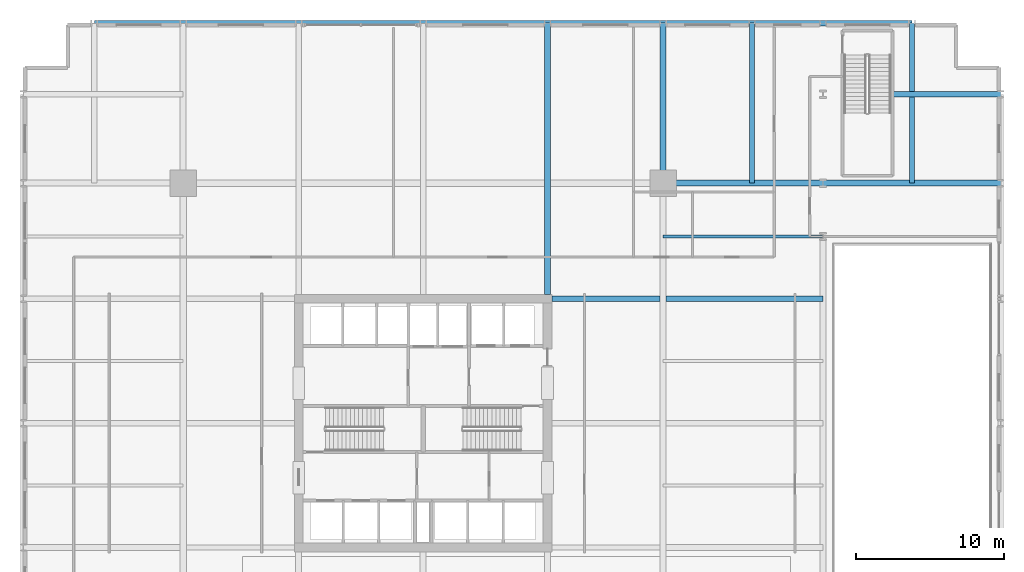
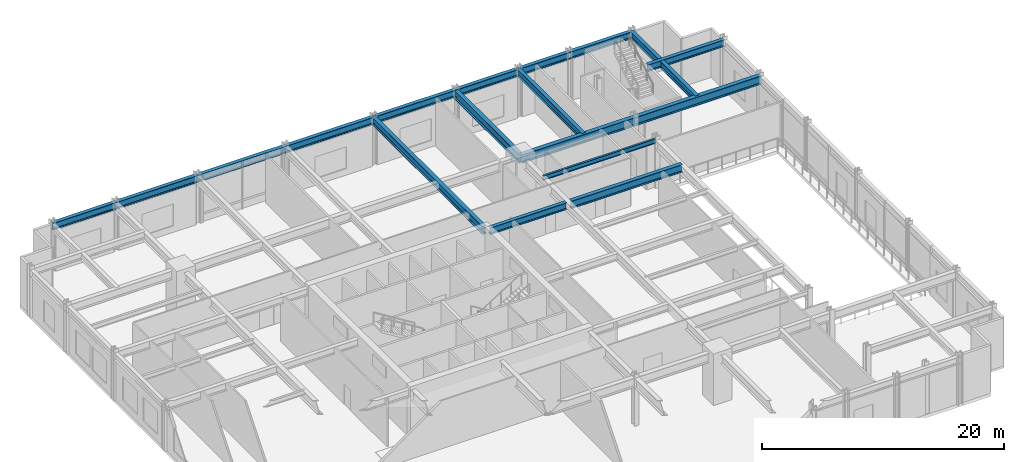
# One storey, part 6 of 20: 11 beams.
"""IFC4 building model written with IfcOpenShell, lengths in metres."""

from ifc_helpers import new_model, si_unit, direction, frame, origin, origin_2d, place, context, subcontext, project, spatial, i_section, extrude, material, material_profile, profile_set, type_object, element, save


model = new_model("IFC4")

# Units and contexts
model_context = context("Model", 3, precision=1e-05, world=origin(), true_north=direction((0.0, 1.0)))
body_context = subcontext(model_context, "Body", "Model", "MODEL_VIEW")
ifc_project = project(units=[si_unit("LENGTHUNIT", "METRE"), si_unit("AREAUNIT", "SQUARE_METRE"), si_unit("VOLUMEUNIT", "CUBIC_METRE"), si_unit("PLANEANGLEUNIT", "RADIAN"), si_unit("MASSUNIT", "GRAM", prefix="KILO")], contexts=[model_context])

# Site, building, storey
site_placement = place(None, origin())
site = spatial("IfcSite", under=ifc_project, at=site_placement, CompositionType="ELEMENT")
building_placement = place(site_placement, origin())
building = spatial("IfcBuilding", under=site, at=building_placement, Name="Drelvath Grand Hotel", CompositionType="ELEMENT")
storey_placement = place(building_placement, frame((0.0, 0.0, 5.60009765625)))
storey = spatial("IfcBuildingStorey", under=building, at=storey_placement, Name="L01", CompositionType="ELEMENT", Elevation=5.60009765625)

# Beams
ifc_material = material(Name="Steel ASTM A992 Gr 50", Category="steel")
ifc_material_profile_1 = material_profile(ifc_material, i_section(OverallWidth=0.19140625, OverallDepth=0.4599609375, WebThickness=0.010009765625, FlangeThickness=0.01611328125, FilletRadius=0.01611328125, at=origin_2d()), Name="W18X55")
ifc_profile_set_1 = profile_set([ifc_material_profile_1], Name="Steel ASTM A992 Gr 50")
beam_type_1 = type_object("IfcBeamType", Name="Composite Floor Joist W18X55", PredefinedType="JOIST", material=ifc_profile_set_1)
beam_1_placement = place(storey_placement, frame((16.199951171875, 39.60009765625, 4.619873046875), z_axis=(1.0, 0.0, 0.0), x_axis=(0.0, 1.0, 0.0)))
element("IfcBeam", 1, at=beam_1_placement, inside=storey, type_object=beam_type_1, Name="L01 East Composite Joist J4", PredefinedType="JOIST", context=body_context, shape_type="SweptSolid", body=[
    extrude(i_section(OverallWidth=0.19140625, OverallDepth=0.4599609375, WebThickness=0.010009765625, FlangeThickness=0.01611328125, FilletRadius=0.01611328125, at=origin_2d()), origin(), (0.0, 0.0, 1.0), 10.800048828125),
])
ifc_material_profile_2 = material_profile(ifc_material, i_section(OverallWidth=0.354736328125, OverallDepth=0.695556640625, WebThickness=0.015380859375, FlangeThickness=0.025146484375, FilletRadius=0.02392578125, at=origin_2d()), Name="W27X146")
ifc_profile_set_2 = profile_set([ifc_material_profile_2], Name="Steel ASTM A992 Gr 50")
beam_type_2 = type_object("IfcBeamType", Name="Perimeter Spandrel Beam W27X146", PredefinedType="SPANDREL", material=ifc_profile_set_2)
beam_2_placement = place(storey_placement, frame((-22.199951171875, 54.0, 4.502197265625), z_axis=(1.0, 0.0, 0.0), x_axis=(0.0, 1.0, 0.0)))
element("IfcBeam", 2, at=beam_2_placement, inside=storey, type_object=beam_type_2, Name="L01 Podium Perimeter Spandrel SPN1", PredefinedType="SPANDREL", context=body_context, shape_type="SweptSolid", body=[
    extrude(i_section(OverallWidth=0.354736328125, OverallDepth=0.695556640625, WebThickness=0.015380859375, FlangeThickness=0.025146484375, FilletRadius=0.02392578125, at=origin_2d()), origin(), (0.0, 0.0, 1.0), 55.199951171875),
])
ifc_material_profile_3 = material_profile(ifc_material, i_section(OverallWidth=0.354736328125, OverallDepth=0.695556640625, WebThickness=0.015380859375, FlangeThickness=0.025146484375, FilletRadius=0.02392578125, at=origin_2d()), Name="W27X146")
ifc_profile_set_3 = profile_set([ifc_material_profile_3], Name="Steel ASTM A992 Gr 50")
beam_type_3 = type_object("IfcBeamType", Name="Primary Floor Girder W27X146", PredefinedType="BEAM", material=ifc_profile_set_3)
beam_3_placement = place(storey_placement, frame((8.699951171875, 35.39990234375, 4.502197265625), z_axis=(1.0, 0.0, 0.0), x_axis=(0.0, 1.0, 0.0)))
element("IfcBeam", 3, at=beam_3_placement, inside=storey, type_object=beam_type_3, Name="L01 East Core Girder F", PredefinedType="BEAM", context=body_context, shape_type="SweptSolid", body=[
    extrude(i_section(OverallWidth=0.354736328125, OverallDepth=0.695556640625, WebThickness=0.015380859375, FlangeThickness=0.025146484375, FilletRadius=0.02392578125, at=origin_2d()), origin(), (0.0, 0.0, 1.0), 7.28857421875),
])
beam_4_placement = place(storey_placement, frame((31.679931640625, 49.199951171875, 4.502197265625), z_axis=(1.0, 0.0, 0.0), x_axis=(0.0, 1.0, 0.0)))
element("IfcBeam", 4, at=beam_4_placement, inside=storey, type_object=beam_type_3, Name="L01 East Corner Tie H", PredefinedType="BEAM", context=body_context, shape_type="SweptSolid", body=[
    extrude(i_section(OverallWidth=0.354736328125, OverallDepth=0.695556640625, WebThickness=0.015380859375, FlangeThickness=0.025146484375, FilletRadius=0.02392578125, at=origin_2d()), origin(), (0.0, 0.0, 1.0), 7.320068359375),
])
for number, where, z_axis, x_axis, name in (
    (5, (22.199951171875, 43.199951171875, 4.502197265625), (0.0, 1.0, 0.0), (-1.0, 0.0, 0.0), "L01 North Corner Tie 8"),
    (6, (33.0, 43.199951171875, 4.502197265625), (0.0, 1.0, 0.0), (-1.0, 0.0, 0.0), "L01 North Corner Tie 10"),
):
    element("IfcBeam", number, at=place(storey_placement, frame(where, z_axis=z_axis, x_axis=x_axis)), inside=storey, type_object=beam_type_3, Name=name, PredefinedType="BEAM", context=body_context, shape_type="SweptSolid", body=[
        extrude(i_section(OverallWidth=0.354736328125, OverallDepth=0.695556640625, WebThickness=0.015380859375, FlangeThickness=0.025146484375, FilletRadius=0.02392578125, at=origin_2d()), origin(), (0.0, 0.0, 1.0), 10.800048828125),
    ])
ifc_material_profile_4 = material_profile(ifc_material, i_section(OverallWidth=0.380615234375, OverallDepth=0.773193359375, WebThickness=0.0166015625, FlangeThickness=0.027099609375, FilletRadius=0.02490234375, at=origin_2d()), Name="W30X173")
ifc_profile_set_4 = profile_set([ifc_material_profile_4], Name="Steel ASTM A992 Gr 50")
beam_type_4 = type_object("IfcBeamType", Name="Primary Floor Girder W30X173", PredefinedType="BEAM", material=ifc_profile_set_4)
beam_5_placement = place(storey_placement, frame((8.39990234375, 35.699951171875, 4.46337890625), z_axis=(0.0, 1.0, 0.0), x_axis=(-1.0, 0.0, 0.0)))
element("IfcBeam", 7, at=beam_5_placement, inside=storey, type_object=beam_type_4, Name="L01 North Span Girder Grid 6", PredefinedType="BEAM", context=body_context, shape_type="SweptSolid", body=[
    extrude(i_section(OverallWidth=0.380615234375, OverallDepth=0.773193359375, WebThickness=0.0166015625, FlangeThickness=0.027099609375, FilletRadius=0.02490234375, at=origin_2d()), origin(), (0.0, 0.0, 1.0), 18.300048828125),
])
beam_6_placement = place(storey_placement, frame((16.41162109375, 35.39990234375, 4.46337890625), z_axis=(1.0, 0.0, 0.0), x_axis=(0.0, 1.0, 0.0)))
element("IfcBeam", 8, at=beam_6_placement, inside=storey, type_object=beam_type_4, Name="L01 East Bay Girder F", PredefinedType="BEAM", context=body_context, shape_type="SweptSolid", body=[
    extrude(i_section(OverallWidth=0.380615234375, OverallDepth=0.773193359375, WebThickness=0.0166015625, FlangeThickness=0.027099609375, FilletRadius=0.02490234375, at=origin_2d()), origin(), (0.0, 0.0, 1.0), 10.58837890625),
])
ifc_material_profile_5 = material_profile(ifc_material, i_section(OverallWidth=0.39990234375, OverallDepth=0.85546875, WebThickness=0.018310546875, FlangeThickness=0.029296875, FilletRadius=0.02490234375, at=origin_2d()), Name="W33X201")
ifc_profile_set_5 = profile_set([ifc_material_profile_5], Name="Steel ASTM A992 Gr 50")
beam_type_5 = type_object("IfcBeamType", Name="Primary Floor Girder W33X201", PredefinedType="BEAM", material=ifc_profile_set_5)
beam_7_placement = place(storey_placement, frame((16.199951171875, 43.199951171875, 4.422119140625), z_axis=(1.0, 0.0, 0.0), x_axis=(0.0, 1.0, 0.0)))
element("IfcBeam", 9, at=beam_7_placement, inside=storey, type_object=beam_type_5, Name="L01 East Podium Girder 1 G", PredefinedType="BEAM", context=body_context, shape_type="SweptSolid", body=[
    extrude(i_section(OverallWidth=0.39990234375, OverallDepth=0.85546875, WebThickness=0.018310546875, FlangeThickness=0.029296875, FilletRadius=0.02490234375, at=origin_2d()), origin(), (0.0, 0.0, 1.0), 10.800048828125),
])
beam_8_placement = place(storey_placement, frame((27.0, 43.199951171875, 4.422119140625), z_axis=(1.0, 0.0, 0.0), x_axis=(0.0, 1.0, 0.0)))
element("IfcBeam", 10, at=beam_8_placement, inside=storey, type_object=beam_type_5, Name="L01 East Podium Girder 2 G", PredefinedType="BEAM", context=body_context, shape_type="SweptSolid", body=[
    extrude(i_section(OverallWidth=0.39990234375, OverallDepth=0.85546875, WebThickness=0.018310546875, FlangeThickness=0.029296875, FilletRadius=0.02490234375, at=origin_2d()), origin(), (0.0, 0.0, 1.0), 12.0),
])
beam_9_placement = place(storey_placement, frame((16.199951171875, 43.199951171875, 4.422119140625), z_axis=(0.0, 1.0, 0.0), x_axis=(-1.0, 0.0, 0.0)))
element("IfcBeam", 11, at=beam_9_placement, inside=storey, type_object=beam_type_5, Name="L01 North Podium Girder 7", PredefinedType="BEAM", context=body_context, shape_type="SweptSolid", body=[
    extrude(i_section(OverallWidth=0.39990234375, OverallDepth=0.85546875, WebThickness=0.018310546875, FlangeThickness=0.029296875, FilletRadius=0.02490234375, at=origin_2d()), origin(), (0.0, 0.0, 1.0), 10.800048828125),
])

save(model, "model.ifc")
